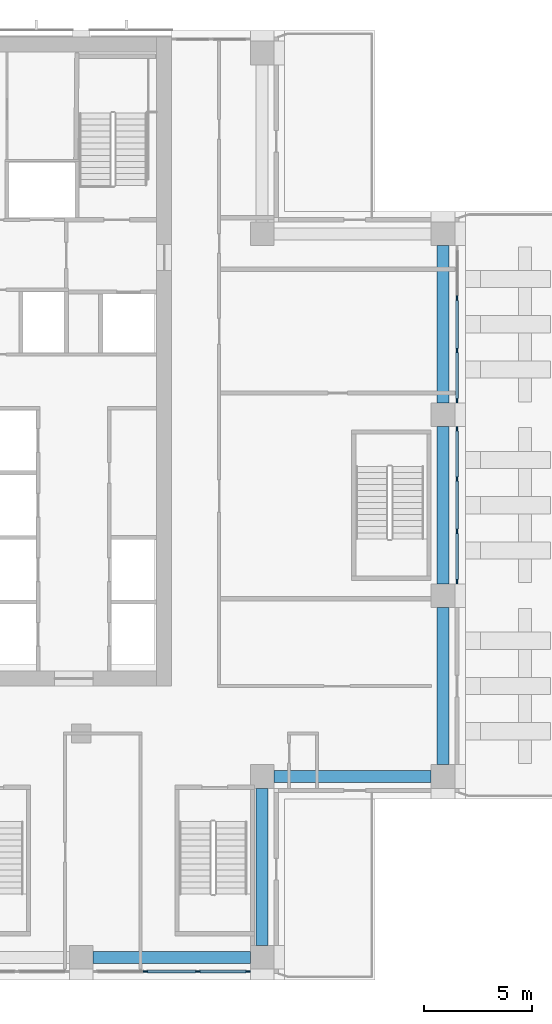
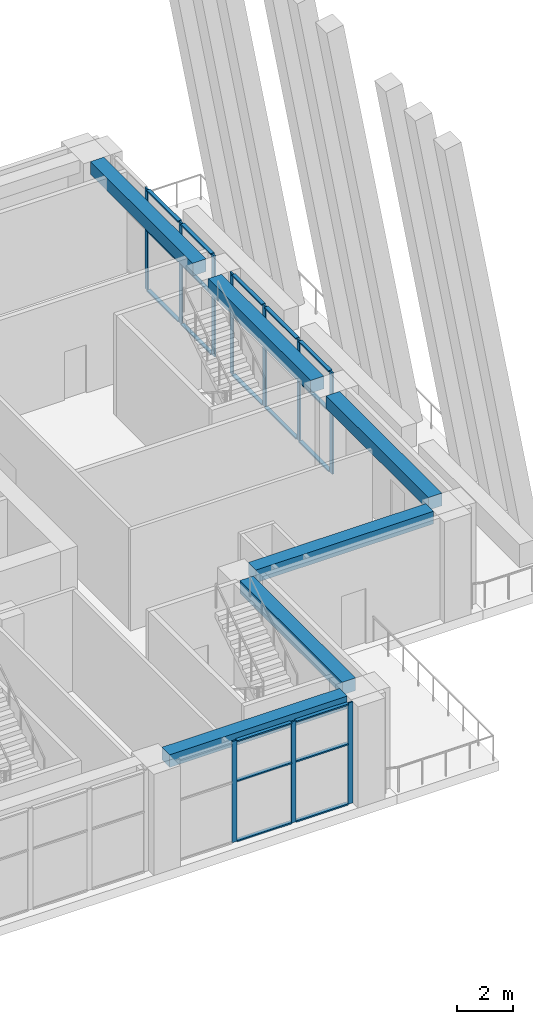
# One storey, part 4 of 19: 31 members, 6 beams, 3 elements without a shape of their own.
"""IFC4 building model written with IfcOpenShell, lengths in metres."""

from ifc_helpers import new_model, si_unit, direction, frame, origin, origin_2d, place, context, subcontext, project, spatial, rectangle, extrude, material, material_profile, profile_set, type_object, element, aggregate, save


model = new_model("IFC4")

# Units and contexts
model_context = context("Model", 3, precision=1e-05, world=origin(), true_north=direction((0.0, 1.0)))
body_context = subcontext(model_context, "Body", "Model", "MODEL_VIEW")
ifc_project = project(units=[si_unit("LENGTHUNIT", "METRE"), si_unit("AREAUNIT", "SQUARE_METRE"), si_unit("VOLUMEUNIT", "CUBIC_METRE"), si_unit("PLANEANGLEUNIT", "RADIAN"), si_unit("MASSUNIT", "GRAM", prefix="KILO")], contexts=[model_context])

# Site, building, storey
site_placement = place(None, origin())
site = spatial("IfcSite", under=ifc_project, at=site_placement, CompositionType="ELEMENT")
building_placement = place(site_placement, origin())
building = spatial("IfcBuilding", under=site, at=building_placement, Name="Vermilion Ogive Tower", CompositionType="ELEMENT")
storey_placement = place(building_placement, frame((0.0, 0.0, 128.300048828125)))
storey = spatial("IfcBuildingStorey", under=building, at=storey_placement, Name="L32", CompositionType="ELEMENT", Elevation=128.300048828125)

# Curtain wall, members
ifc_material_1 = material(Name="Low-iron laminated glazing in aluminium frame", Category="aluminium")
curtain_wall_type = type_object("IfcCurtainWallType", Name="Curtain wall CW6", PredefinedType="NOTDEFINED", material=ifc_material_1)
curtain_wall_1_placement = place(storey_placement, origin())
curtain_wall_1 = element("IfcCurtainWall", 1, at=curtain_wall_1_placement, inside=storey, type_object=curtain_wall_type, Name="CW6 sky lobby glazing S3", PredefinedType="NOTDEFINED")
ifc_material_2 = material(Name="Aluminium mullion", Category="aluminium")
ifc_material_profile_1 = material_profile(ifc_material_2, rectangle(XDim=0.06005859375, YDim=0.199951171875, at=origin_2d()), Name="AL 60x200")
ifc_profile_set_1 = profile_set([ifc_material_profile_1], Name="Aluminium mullion")
member_type_1 = type_object("IfcMemberType", Name="CW6 mullion 60x200", PredefinedType="MULLION", material=ifc_profile_set_1)
member_1_placement = place(storey_placement, frame((7.183349609375, -21.64990234375, 0.0), z_axis=(0.0, 0.0, 1.0), x_axis=(0.0, 1.0, 0.0)))
member_1 = element("IfcMember", 2, at=member_1_placement, type_object=member_type_1, Name="CW6-S3 mullion 2", PredefinedType="MULLION", context=body_context, shape_type="SweptSolid", body=[
    extrude(rectangle(XDim=0.06005859375, YDim=0.199951171875, at=origin_2d()), origin(), (0.0, 0.0, 1.0), 4.39990234375),
])
member_2_placement = place(storey_placement, frame((9.61669921875, -21.64990234375, 0.0), z_axis=(0.0, 0.0, 1.0), x_axis=(0.0, 1.0, 0.0)))
member_2 = element("IfcMember", 3, at=member_2_placement, type_object=member_type_1, Name="CW6-S3 mullion 3", PredefinedType="MULLION", context=body_context, shape_type="SweptSolid", body=[
    extrude(rectangle(XDim=0.06005859375, YDim=0.199951171875, at=origin_2d()), origin(), (0.0, 0.0, 1.0), 4.39990234375),
])
member_3_placement = place(storey_placement, frame((11.949951171875, -21.64990234375, 0.0), z_axis=(0.0, 0.0, 1.0), x_axis=(0.0, 1.0, 0.0)))
member_3 = element("IfcMember", 4, at=member_3_placement, type_object=member_type_1, Name="CW6-S3 mullion 4", PredefinedType="MULLION", context=body_context, shape_type="SweptSolid", body=[
    extrude(rectangle(XDim=0.06005859375, YDim=0.199951171875, at=origin_2d()), origin(), (0.0, 0.0, 1.0), 4.39990234375),
])

curtain_wall_2_placement = place(storey_placement, origin())
curtain_wall_2 = element("IfcCurtainWall", 5, at=curtain_wall_2_placement, inside=storey, type_object=curtain_wall_type, Name="CW6 sky lobby glazing E2", PredefinedType="NOTDEFINED")
member_4_placement = place(storey_placement, frame((21.64990234375, -3.550048828125, 0.0), z_axis=(0.0, 0.0, 1.0), x_axis=(-1.0, 0.0, 0.0)))
member_4 = element("IfcMember", 6, at=member_4_placement, type_object=member_type_1, Name="CW6-E2 mullion 1", PredefinedType="MULLION", context=body_context, shape_type="SweptSolid", body=[
    extrude(rectangle(XDim=0.06005859375, YDim=0.199951171875, at=origin_2d()), origin(), (0.0, 0.0, 1.0), 4.39990234375),
])
member_5_placement = place(storey_placement, frame((21.64990234375, -1.216552734375, 0.0), z_axis=(0.0, 0.0, 1.0), x_axis=(-1.0, 0.0, 0.0)))
member_5 = element("IfcMember", 7, at=member_5_placement, type_object=member_type_1, Name="CW6-E2 mullion 2", PredefinedType="MULLION", context=body_context, shape_type="SweptSolid", body=[
    extrude(rectangle(XDim=0.06005859375, YDim=0.199951171875, at=origin_2d()), origin(), (0.0, 0.0, 1.0), 4.39990234375),
])
member_6_placement = place(storey_placement, frame((21.64990234375, 1.216552734375, 0.0), z_axis=(0.0, 0.0, 1.0), x_axis=(-1.0, 0.0, 0.0)))
member_6 = element("IfcMember", 8, at=member_6_placement, type_object=member_type_1, Name="CW6-E2 mullion 3", PredefinedType="MULLION", context=body_context, shape_type="SweptSolid", body=[
    extrude(rectangle(XDim=0.06005859375, YDim=0.199951171875, at=origin_2d()), origin(), (0.0, 0.0, 1.0), 4.39990234375),
])
member_7_placement = place(storey_placement, frame((21.64990234375, 3.550048828125, 0.0), z_axis=(0.0, 0.0, 1.0), x_axis=(-1.0, 0.0, 0.0)))
member_7 = element("IfcMember", 9, at=member_7_placement, type_object=member_type_1, Name="CW6-E2 mullion 4", PredefinedType="MULLION", context=body_context, shape_type="SweptSolid", body=[
    extrude(rectangle(XDim=0.06005859375, YDim=0.199951171875, at=origin_2d()), origin(), (0.0, 0.0, 1.0), 4.39990234375),
])

curtain_wall_3_placement = place(storey_placement, origin())
curtain_wall_3 = element("IfcCurtainWall", 10, at=curtain_wall_3_placement, inside=storey, type_object=curtain_wall_type, Name="CW6 sky lobby glazing E3", PredefinedType="NOTDEFINED")
member_8_placement = place(storey_placement, frame((21.64990234375, 4.85009765625, 0.0), z_axis=(0.0, 0.0, 1.0), x_axis=(-1.0, 0.0, 0.0)))
member_8 = element("IfcMember", 11, at=member_8_placement, type_object=member_type_1, Name="CW6-E3 mullion 1", PredefinedType="MULLION", context=body_context, shape_type="SweptSolid", body=[
    extrude(rectangle(XDim=0.06005859375, YDim=0.199951171875, at=origin_2d()), origin(), (0.0, 0.0, 1.0), 4.39990234375),
])
member_9_placement = place(storey_placement, frame((21.64990234375, 7.183349609375, 0.0), z_axis=(0.0, 0.0, 1.0), x_axis=(-1.0, 0.0, 0.0)))
member_9 = element("IfcMember", 12, at=member_9_placement, type_object=member_type_1, Name="CW6-E3 mullion 2", PredefinedType="MULLION", context=body_context, shape_type="SweptSolid", body=[
    extrude(rectangle(XDim=0.06005859375, YDim=0.199951171875, at=origin_2d()), origin(), (0.0, 0.0, 1.0), 4.39990234375),
])
member_10_placement = place(storey_placement, frame((21.64990234375, 9.61669921875, 0.0), z_axis=(0.0, 0.0, 1.0), x_axis=(-1.0, 0.0, 0.0)))
member_10 = element("IfcMember", 13, at=member_10_placement, type_object=member_type_1, Name="CW6-E3 mullion 3", PredefinedType="MULLION", context=body_context, shape_type="SweptSolid", body=[
    extrude(rectangle(XDim=0.06005859375, YDim=0.199951171875, at=origin_2d()), origin(), (0.0, 0.0, 1.0), 4.39990234375),
])

# Member
ifc_material_3 = material(Name="Aluminium transom", Category="aluminium")
ifc_material_profile_2 = material_profile(ifc_material_3, rectangle(XDim=0.14990234375, YDim=0.06005859375, at=origin_2d()), Name="AL 60x150")
ifc_profile_set_2 = profile_set([ifc_material_profile_2], Name="Aluminium transom")
member_type_2 = type_object("IfcMemberType", Name="CW6 transom 60x150", PredefinedType="USERDEFINED", material=ifc_profile_set_2)
member_11_placement = place(storey_placement, frame((7.283447265625, -21.64990234375, 0.030029296875), z_axis=(1.0, 0.0, 0.0), x_axis=(0.0, 1.0, 0.0)))
member_11 = element("IfcMember", 14, at=member_11_placement, type_object=member_type_2, Name="CW6-S3 transom 2.1", ObjectType="TRANSOM", PredefinedType="USERDEFINED", context=body_context, shape_type="SweptSolid", body=[
    extrude(rectangle(XDim=0.14990234375, YDim=0.06005859375, at=origin_2d()), origin(), (0.0, 0.0, 1.0), 2.233154296875),
])

member_12_placement = place(storey_placement, frame((7.283447265625, -21.64990234375, 2.639892578125), z_axis=(1.0, 0.0, 0.0), x_axis=(0.0, 1.0, 0.0)))
member_12 = element("IfcMember", 15, at=member_12_placement, type_object=member_type_2, Name="CW6-S3 transom 2.2", ObjectType="TRANSOM", PredefinedType="USERDEFINED", context=body_context, shape_type="SweptSolid", body=[
    extrude(rectangle(XDim=0.14990234375, YDim=0.06005859375, at=origin_2d()), origin(), (0.0, 0.0, 1.0), 2.233154296875),
])

member_13_placement = place(storey_placement, frame((7.283447265625, -21.64990234375, 4.369873046875), z_axis=(1.0, 0.0, 0.0), x_axis=(0.0, 1.0, 0.0)))
member_13 = element("IfcMember", 16, at=member_13_placement, type_object=member_type_2, Name="CW6-S3 transom 2.3", ObjectType="TRANSOM", PredefinedType="USERDEFINED", context=body_context, shape_type="SweptSolid", body=[
    extrude(rectangle(XDim=0.14990234375, YDim=0.06005859375, at=origin_2d()), origin(), (0.0, 0.0, 1.0), 2.233154296875),
])

member_14_placement = place(storey_placement, frame((9.716552734375, -21.64990234375, 0.030029296875), z_axis=(1.0, 0.0, 0.0), x_axis=(0.0, 1.0, 0.0)))
member_14 = element("IfcMember", 17, at=member_14_placement, type_object=member_type_2, Name="CW6-S3 transom 3.1", ObjectType="TRANSOM", PredefinedType="USERDEFINED", context=body_context, shape_type="SweptSolid", body=[
    extrude(rectangle(XDim=0.14990234375, YDim=0.06005859375, at=origin_2d()), origin(), (0.0, 0.0, 1.0), 2.133544921875),
])

member_15_placement = place(storey_placement, frame((9.716552734375, -21.64990234375, 2.639892578125), z_axis=(1.0, 0.0, 0.0), x_axis=(0.0, 1.0, 0.0)))
member_15 = element("IfcMember", 18, at=member_15_placement, type_object=member_type_2, Name="CW6-S3 transom 3.2", ObjectType="TRANSOM", PredefinedType="USERDEFINED", context=body_context, shape_type="SweptSolid", body=[
    extrude(rectangle(XDim=0.14990234375, YDim=0.06005859375, at=origin_2d()), origin(), (0.0, 0.0, 1.0), 2.133544921875),
])

member_16_placement = place(storey_placement, frame((9.716552734375, -21.64990234375, 4.369873046875), z_axis=(1.0, 0.0, 0.0), x_axis=(0.0, 1.0, 0.0)))
member_16 = element("IfcMember", 19, at=member_16_placement, type_object=member_type_2, Name="CW6-S3 transom 3.3", ObjectType="TRANSOM", PredefinedType="USERDEFINED", context=body_context, shape_type="SweptSolid", body=[
    extrude(rectangle(XDim=0.14990234375, YDim=0.06005859375, at=origin_2d()), origin(), (0.0, 0.0, 1.0), 2.133544921875),
])

aggregate(curtain_wall_1, [member_1, member_2, member_3, member_11, member_12, member_13, member_14, member_15, member_16])

member_17_placement = place(storey_placement, frame((21.64990234375, -3.449951171875, 0.030029296875), z_axis=(0.0, 1.0, 0.0), x_axis=(-1.0, 0.0, 0.0)))
member_17 = element("IfcMember", 20, at=member_17_placement, type_object=member_type_2, Name="CW6-E2 transom 1.1", ObjectType="TRANSOM", PredefinedType="USERDEFINED", context=body_context, shape_type="SweptSolid", body=[
    extrude(rectangle(XDim=0.14990234375, YDim=0.06005859375, at=origin_2d()), origin(), (0.0, 0.0, 1.0), 2.13330078125),
])

member_18_placement = place(storey_placement, frame((21.64990234375, -3.449951171875, 2.639892578125), z_axis=(0.0, 1.0, 0.0), x_axis=(-1.0, 0.0, 0.0)))
member_18 = element("IfcMember", 21, at=member_18_placement, type_object=member_type_2, Name="CW6-E2 transom 1.2", ObjectType="TRANSOM", PredefinedType="USERDEFINED", context=body_context, shape_type="SweptSolid", body=[
    extrude(rectangle(XDim=0.14990234375, YDim=0.06005859375, at=origin_2d()), origin(), (0.0, 0.0, 1.0), 2.13330078125),
])

member_19_placement = place(storey_placement, frame((21.64990234375, -3.449951171875, 4.369873046875), z_axis=(0.0, 1.0, 0.0), x_axis=(-1.0, 0.0, 0.0)))
member_19 = element("IfcMember", 22, at=member_19_placement, type_object=member_type_2, Name="CW6-E2 transom 1.3", ObjectType="TRANSOM", PredefinedType="USERDEFINED", context=body_context, shape_type="SweptSolid", body=[
    extrude(rectangle(XDim=0.14990234375, YDim=0.06005859375, at=origin_2d()), origin(), (0.0, 0.0, 1.0), 2.13330078125),
])

member_20_placement = place(storey_placement, frame((21.64990234375, -1.11669921875, 0.030029296875), z_axis=(0.0, 1.0, 0.0), x_axis=(-1.0, 0.0, 0.0)))
member_20 = element("IfcMember", 23, at=member_20_placement, type_object=member_type_2, Name="CW6-E2 transom 2.1", ObjectType="TRANSOM", PredefinedType="USERDEFINED", context=body_context, shape_type="SweptSolid", body=[
    extrude(rectangle(XDim=0.14990234375, YDim=0.06005859375, at=origin_2d()), origin(), (0.0, 0.0, 1.0), 2.2333984375),
])

member_21_placement = place(storey_placement, frame((21.64990234375, -1.11669921875, 2.639892578125), z_axis=(0.0, 1.0, 0.0), x_axis=(-1.0, 0.0, 0.0)))
member_21 = element("IfcMember", 24, at=member_21_placement, type_object=member_type_2, Name="CW6-E2 transom 2.2", ObjectType="TRANSOM", PredefinedType="USERDEFINED", context=body_context, shape_type="SweptSolid", body=[
    extrude(rectangle(XDim=0.14990234375, YDim=0.06005859375, at=origin_2d()), origin(), (0.0, 0.0, 1.0), 2.2333984375),
])

member_22_placement = place(storey_placement, frame((21.64990234375, -1.11669921875, 4.369873046875), z_axis=(0.0, 1.0, 0.0), x_axis=(-1.0, 0.0, 0.0)))
member_22 = element("IfcMember", 25, at=member_22_placement, type_object=member_type_2, Name="CW6-E2 transom 2.3", ObjectType="TRANSOM", PredefinedType="USERDEFINED", context=body_context, shape_type="SweptSolid", body=[
    extrude(rectangle(XDim=0.14990234375, YDim=0.06005859375, at=origin_2d()), origin(), (0.0, 0.0, 1.0), 2.2333984375),
])

member_23_placement = place(storey_placement, frame((21.64990234375, 1.316650390625, 0.030029296875), z_axis=(0.0, 1.0, 0.0), x_axis=(-1.0, 0.0, 0.0)))
member_23 = element("IfcMember", 26, at=member_23_placement, type_object=member_type_2, Name="CW6-E2 transom 3.1", ObjectType="TRANSOM", PredefinedType="USERDEFINED", context=body_context, shape_type="SweptSolid", body=[
    extrude(rectangle(XDim=0.14990234375, YDim=0.06005859375, at=origin_2d()), origin(), (0.0, 0.0, 1.0), 2.13330078125),
])

member_24_placement = place(storey_placement, frame((21.64990234375, 1.316650390625, 2.639892578125), z_axis=(0.0, 1.0, 0.0), x_axis=(-1.0, 0.0, 0.0)))
member_24 = element("IfcMember", 27, at=member_24_placement, type_object=member_type_2, Name="CW6-E2 transom 3.2", ObjectType="TRANSOM", PredefinedType="USERDEFINED", context=body_context, shape_type="SweptSolid", body=[
    extrude(rectangle(XDim=0.14990234375, YDim=0.06005859375, at=origin_2d()), origin(), (0.0, 0.0, 1.0), 2.13330078125),
])

member_25_placement = place(storey_placement, frame((21.64990234375, 1.316650390625, 4.369873046875), z_axis=(0.0, 1.0, 0.0), x_axis=(-1.0, 0.0, 0.0)))
member_25 = element("IfcMember", 28, at=member_25_placement, type_object=member_type_2, Name="CW6-E2 transom 3.3", ObjectType="TRANSOM", PredefinedType="USERDEFINED", context=body_context, shape_type="SweptSolid", body=[
    extrude(rectangle(XDim=0.14990234375, YDim=0.06005859375, at=origin_2d()), origin(), (0.0, 0.0, 1.0), 2.13330078125),
])

aggregate(curtain_wall_2, [member_4, member_5, member_6, member_7, member_17, member_18, member_19, member_20, member_21, member_22, member_23, member_24, member_25])

member_26_placement = place(storey_placement, frame((21.64990234375, 4.949951171875, 0.030029296875), z_axis=(0.0, 1.0, 0.0), x_axis=(-1.0, 0.0, 0.0)))
member_26 = element("IfcMember", 29, at=member_26_placement, type_object=member_type_2, Name="CW6-E3 transom 1.1", ObjectType="TRANSOM", PredefinedType="USERDEFINED", context=body_context, shape_type="SweptSolid", body=[
    extrude(rectangle(XDim=0.14990234375, YDim=0.06005859375, at=origin_2d()), origin(), (0.0, 0.0, 1.0), 2.13330078125),
])

member_27_placement = place(storey_placement, frame((21.64990234375, 4.949951171875, 2.639892578125), z_axis=(0.0, 1.0, 0.0), x_axis=(-1.0, 0.0, 0.0)))
member_27 = element("IfcMember", 30, at=member_27_placement, type_object=member_type_2, Name="CW6-E3 transom 1.2", ObjectType="TRANSOM", PredefinedType="USERDEFINED", context=body_context, shape_type="SweptSolid", body=[
    extrude(rectangle(XDim=0.14990234375, YDim=0.06005859375, at=origin_2d()), origin(), (0.0, 0.0, 1.0), 2.13330078125),
])

member_28_placement = place(storey_placement, frame((21.64990234375, 4.949951171875, 4.369873046875), z_axis=(0.0, 1.0, 0.0), x_axis=(-1.0, 0.0, 0.0)))
member_28 = element("IfcMember", 31, at=member_28_placement, type_object=member_type_2, Name="CW6-E3 transom 1.3", ObjectType="TRANSOM", PredefinedType="USERDEFINED", context=body_context, shape_type="SweptSolid", body=[
    extrude(rectangle(XDim=0.14990234375, YDim=0.06005859375, at=origin_2d()), origin(), (0.0, 0.0, 1.0), 2.13330078125),
])

member_29_placement = place(storey_placement, frame((21.64990234375, 7.283447265625, 0.030029296875), z_axis=(0.0, 1.0, 0.0), x_axis=(-1.0, 0.0, 0.0)))
member_29 = element("IfcMember", 32, at=member_29_placement, type_object=member_type_2, Name="CW6-E3 transom 2.1", ObjectType="TRANSOM", PredefinedType="USERDEFINED", context=body_context, shape_type="SweptSolid", body=[
    extrude(rectangle(XDim=0.14990234375, YDim=0.06005859375, at=origin_2d()), origin(), (0.0, 0.0, 1.0), 2.233154296875),
])

member_30_placement = place(storey_placement, frame((21.64990234375, 7.283447265625, 2.639892578125), z_axis=(0.0, 1.0, 0.0), x_axis=(-1.0, 0.0, 0.0)))
member_30 = element("IfcMember", 33, at=member_30_placement, type_object=member_type_2, Name="CW6-E3 transom 2.2", ObjectType="TRANSOM", PredefinedType="USERDEFINED", context=body_context, shape_type="SweptSolid", body=[
    extrude(rectangle(XDim=0.14990234375, YDim=0.06005859375, at=origin_2d()), origin(), (0.0, 0.0, 1.0), 2.233154296875),
])

member_31_placement = place(storey_placement, frame((21.64990234375, 7.283447265625, 4.369873046875), z_axis=(0.0, 1.0, 0.0), x_axis=(-1.0, 0.0, 0.0)))
member_31 = element("IfcMember", 34, at=member_31_placement, type_object=member_type_2, Name="CW6-E3 transom 2.3", ObjectType="TRANSOM", PredefinedType="USERDEFINED", context=body_context, shape_type="SweptSolid", body=[
    extrude(rectangle(XDim=0.14990234375, YDim=0.06005859375, at=origin_2d()), origin(), (0.0, 0.0, 1.0), 2.233154296875),
])

aggregate(curtain_wall_3, [member_8, member_9, member_10, member_26, member_27, member_28, member_29, member_30, member_31])

# Beams
ifc_material_4 = material(Name="Concrete B45", Category="concrete")
ifc_material_profile_3 = material_profile(ifc_material_4, rectangle(XDim=0.550048828125, YDim=0.550048828125, at=origin_2d()), Name="550 x 550")
ifc_profile_set_3 = profile_set([ifc_material_profile_3], Name="Concrete B45")
beam_type = type_object("IfcBeamType", Name="Edge beam 550 x 550 B45", PredefinedType="BEAM", material=ifc_profile_set_3)
for number, where, z_axis, x_axis, name in (
    (35, (4.75, -21.0, 4.125), (1.0, 0.0, 0.0), (0.0, 1.0, 0.0), "L32-EB-3"),
    (36, (12.60009765625, -20.449951171875, 4.125), (0.0, 1.0, 0.0), (-1.0, 0.0, 0.0), "L32-EB-4"),
    (37, (13.14990234375, -12.60009765625, 4.125), (1.0, 0.0, 0.0), (0.0, 1.0, 0.0), "L32-EB-5"),
    (38, (21.0, -12.050048828125, 4.125), (0.0, 1.0, 0.0), (-1.0, 0.0, 0.0), "L32-EB-6"),
):
    element("IfcBeam", number, at=place(storey_placement, frame(where, z_axis=z_axis, x_axis=x_axis)), inside=storey, type_object=beam_type, Name=name, PredefinedType="BEAM", context=body_context, shape_type="SweptSolid", body=[
        extrude(rectangle(XDim=0.550048828125, YDim=0.550048828125, at=origin_2d()), origin(), (0.0, 0.0, 1.0), 7.300048828125),
    ])
beam_1_placement = place(storey_placement, frame((21.0, -3.64990234375, 4.125), z_axis=(0.0, 1.0, 0.0), x_axis=(-1.0, 0.0, 0.0)))
element("IfcBeam", 39, at=beam_1_placement, inside=storey, type_object=beam_type, Name="L32-EB-7", PredefinedType="BEAM", context=body_context, shape_type="SweptSolid", body=[
    extrude(rectangle(XDim=0.550048828125, YDim=0.550048828125, at=origin_2d()), origin(), (0.0, 0.0, 1.0), 7.2998046875),
])
beam_2_placement = place(storey_placement, frame((21.0, 4.75, 4.125), z_axis=(0.0, 1.0, 0.0), x_axis=(-1.0, 0.0, 0.0)))
element("IfcBeam", 40, at=beam_2_placement, inside=storey, type_object=beam_type, Name="L32-EB-8", PredefinedType="BEAM", context=body_context, shape_type="SweptSolid", body=[
    extrude(rectangle(XDim=0.550048828125, YDim=0.550048828125, at=origin_2d()), origin(), (0.0, 0.0, 1.0), 7.300048828125),
])

save(model, "model.ifc")
